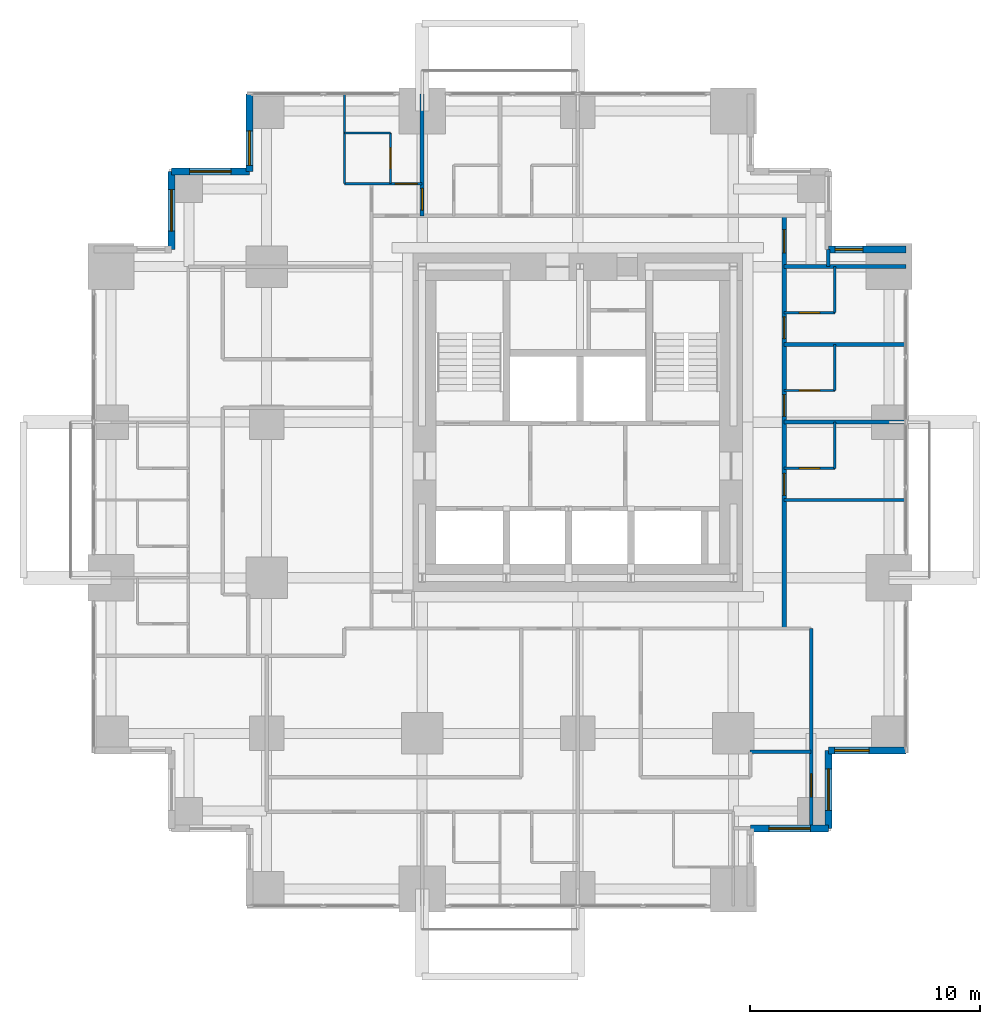
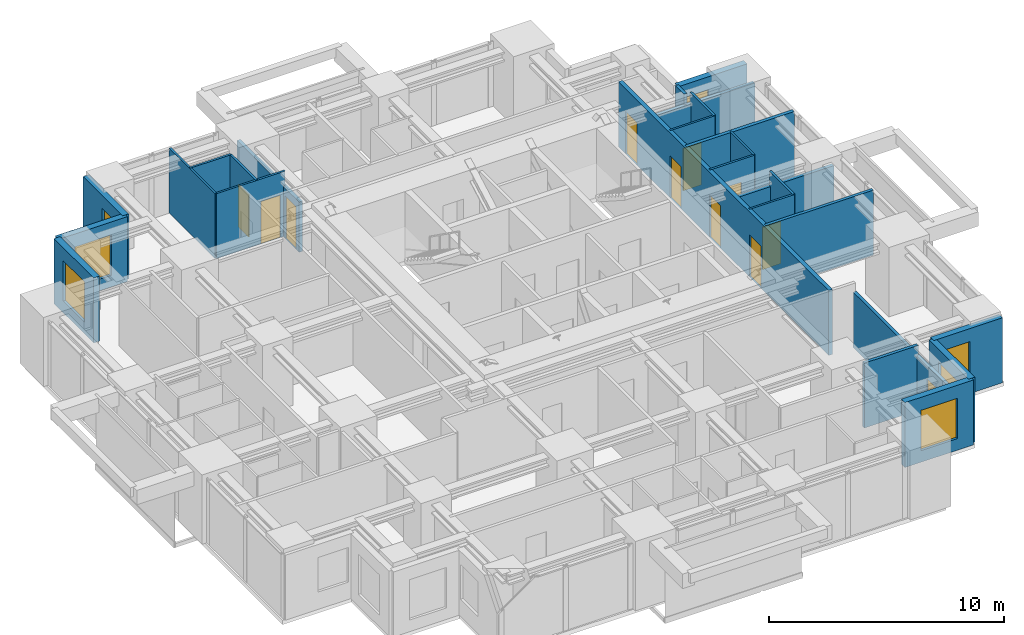
# One storey, part 8 of 10: 26 walls, 11 doors, 7 windows, 18 openings.
"""IFC4 building model written with IfcOpenShell, lengths in metres."""

import ifcopenshell
import ifcopenshell.guid

model = None  # the IFC model being written
_history = None  # IfcOwnerHistory: only IFC2X3 demands one
_inside = {}  # id of a spatial element -> (the spatial element, [elements in it])
_under = {}  # id of a project, library or spatial element -> (it, [spatial elements below it])
_declared = {}  # id of a project -> (the project, [libraries it declares])
_typed = {}  # id of a type object -> (the type object, [elements of that type])
_made_of = {}  # id of a material, layer set ... -> (it, [elements and type objects made of it])


def new_model(schema):
    """Start an empty IFC model of exactly this schema.

    Asked for "IFC4X3", IfcOpenShell would pick the latest addendum, in which some entities
    have other attributes; the version numbers below select the first issue.
    IFC2X3 requires an IfcOwnerHistory on every rooted entity: one is made here for all.
    """
    global model, _history
    if schema == "IFC4X3":
        model = ifcopenshell.file(schema_version=(4, 3, 0, 0))
    else:
        model = ifcopenshell.file(schema=schema)
    _inside.clear()
    _under.clear()
    _declared.clear()
    _typed.clear()
    _made_of.clear()
    _history = None
    if model.schema == "IFC2X3":
        org = make("IfcOrganization", Name="unknown")
        user = make(
            "IfcPersonAndOrganization",
            ThePerson=make("IfcPerson", FamilyName="unknown"),
            TheOrganization=org,
        )
        app = make(
            "IfcApplication",
            ApplicationDeveloper=org,
            Version="unknown",
            ApplicationFullName="unknown",
            ApplicationIdentifier="unknown",
        )
        _history = make(
            "IfcOwnerHistory",
            OwningUser=user,
            OwningApplication=app,
            ChangeAction="ADDED",
            CreationDate=0,
        )
    return model


def make(cls, **values):
    """One entity of the class cls with the attributes given. An attribute that is None is left unset."""
    return model.create_entity(
        cls, **{name: value for name, value in values.items() if value is not None}
    )


def rooted(cls, **values):
    """An entity with a GlobalId (a new one), such as an element, a storey or a relation."""
    return make(cls, GlobalId=ifcopenshell.guid.new(), OwnerHistory=_history, **values)


def si_unit(unit_type, name, prefix=None):
    """IfcSIUnit, for example si_unit("LENGTHUNIT", "METRE", prefix="MILLI")."""
    return make("IfcSIUnit", UnitType=unit_type, Prefix=prefix, Name=name)


def assignment(units):
    """IfcUnitAssignment: the units of a project."""
    return None if units is None else make("IfcUnitAssignment", Units=units)


def point(xyz):
    """IfcCartesianPoint."""
    return None if xyz is None else make("IfcCartesianPoint", Coordinates=xyz)


def direction(xyz):
    """IfcDirection."""
    return None if xyz is None else make("IfcDirection", DirectionRatios=xyz)


def frame(location, z_axis=None, x_axis=None):
    """IfcAxis2Placement3D, a coordinate frame: its origin and axes. An axis left out is left unset."""
    return make(
        "IfcAxis2Placement3D",
        Location=point(location),
        Axis=direction(z_axis),
        RefDirection=direction(x_axis),
    )


def frame_2d(location, x_axis=None):
    """IfcAxis2Placement2D, a coordinate frame in the plane: its origin and x axis."""
    return make(
        "IfcAxis2Placement2D", Location=point(location), RefDirection=direction(x_axis)
    )


def origin():
    """The frame at (0, 0, 0) with its axes left unset."""
    return frame((0.0, 0.0, 0.0))


def place(relative_to, where):
    """IfcLocalPlacement: puts the frame where relative to a parent placement (None: the world)."""
    return make(
        "IfcLocalPlacement", PlacementRelTo=relative_to, RelativePlacement=where
    )


def context(
    kind, dimensions, precision=None, world=None, true_north=None, identifier=None
):
    """IfcGeometricRepresentationContext, for example the 3D "Model" context."""
    return make(
        "IfcGeometricRepresentationContext",
        ContextIdentifier=identifier,
        ContextType=kind,
        CoordinateSpaceDimension=dimensions,
        Precision=precision,
        WorldCoordinateSystem=world,
        TrueNorth=true_north,
    )


def subcontext(parent, identifier, kind, view, scale=None):
    """IfcGeometricRepresentationSubContext, for example "Body" below "Model"."""
    return make(
        "IfcGeometricRepresentationSubContext",
        ContextIdentifier=identifier,
        ContextType=kind,
        ParentContext=parent,
        TargetScale=scale,
        TargetView=view,
    )


def project(units=None, contexts=None):
    """IfcProject with its units and contexts."""
    return rooted(
        "IfcProject",
        Name="project",
        RepresentationContexts=contexts,
        UnitsInContext=assignment(units),
    )


def spatial(cls, under=None, at=None, **own):
    """A site, building, storey or space (cls), placed at a placement, below another one or the project."""
    s = rooted(cls, ObjectPlacement=at, **own)
    if under is not None:
        _under.setdefault(under.id(), (under, []))[1].append(s)
    return s


def profile(cls, at=None, kind="AREA", **sizes):
    """A parametric profile (cls). Its sizes go by their IFC names, for example OverallWidth=200.0."""
    return make(cls, ProfileType=kind, Position=at, **sizes)


def rectangle(**sizes):
    """IfcRectangleProfileDef."""
    return profile("IfcRectangleProfileDef", **sizes)


def extrude(swept, where, along, depth):
    """IfcExtrudedAreaSolid: the profile swept, set in the frame where, extruded along a direction by depth."""
    return make(
        "IfcExtrudedAreaSolid",
        SweptArea=swept,
        Position=where,
        ExtrudedDirection=direction(along),
        Depth=depth,
    )


def shape(context_of_items, identifier, shape_type, items):
    """IfcShapeRepresentation: the items that make up one representation, for example the "Body"."""
    return make(
        "IfcShapeRepresentation",
        ContextOfItems=context_of_items,
        RepresentationIdentifier=identifier,
        RepresentationType=shape_type,
        Items=items,
    )


def material(Name=None, Category=None):
    """IfcMaterial."""
    return make("IfcMaterial", Name=Name, Category=Category)


def layer(
    of_material, thickness, ventilated=None, Name=None, Category=None, Priority=None
):
    """IfcMaterialLayer: one layer of a wall or slab, of a material (None: an air gap)."""
    return make(
        "IfcMaterialLayer",
        Material=of_material,
        LayerThickness=thickness,
        IsVentilated=ventilated,
        Name=Name,
        Category=Category,
        Priority=Priority,
    )


def layer_set(layers, Name=None):
    """IfcMaterialLayerSet."""
    return make("IfcMaterialLayerSet", MaterialLayers=layers, LayerSetName=Name)


def made_of(thing, what):
    """Note that an element or type object is made of a material, layer set ...; save() writes the relation."""
    if what is not None:
        _made_of.setdefault(what.id(), (what, []))[1].append(thing)
    return thing


def type_object(cls, material=None, **own):
    """A type object (cls), such as IfcWallType, which elements share."""
    return made_of(rooted(cls, **own), material)


def element(
    cls,
    number,
    at=None,
    inside=None,
    cuts=None,
    type_object=None,
    material=None,
    context=None,
    identifier="Body",
    shape_type=None,
    held_by="IfcProductDefinitionShape",
    body=None,
    shapes=None,
    **own,
):
    """One element of the class cls, such as IfcWall. Its Tag is "e" and its number.

    at: its placement. inside: the storey or other place that contains it. cuts: it is an
    opening in that element (IfcRelVoidsElement). A single representation is given by context,
    identifier, shape_type and body (its items); several are given by shapes. held_by: the class
    of the entity that holds the representations. save() writes the other relations.
    """
    e = rooted(cls, Tag="e%d" % number, ObjectPlacement=at, **own)
    if body is not None:
        shapes = [shape(context, identifier, shape_type, body)]
    if shapes is not None:
        e.Representation = make(held_by, Representations=shapes)
    if inside is not None:
        _inside.setdefault(inside.id(), (inside, []))[1].append(e)
    if cuts is not None:
        rooted(
            "IfcRelVoidsElement", RelatingBuildingElement=cuts, RelatedOpeningElement=e
        )
    if type_object is not None:
        _typed.setdefault(type_object.id(), (type_object, []))[1].append(e)
    return made_of(e, material)


def fill(opening, filler):
    """IfcRelFillsElement: the door or window that sits in an opening."""
    return rooted(
        "IfcRelFillsElement",
        RelatingOpeningElement=opening,
        RelatedBuildingElement=filler,
    )


def aggregate(whole, parts):
    """IfcRelAggregates: a whole, such as a stair, and the parts it consists of."""
    return rooted("IfcRelAggregates", RelatingObject=whole, RelatedObjects=parts)


def save(model, path):
    """Write the relations noted so far, then the file.

    IfcRelAggregates (storeys below a building ...), IfcRelContainedInSpatialStructure (elements
    in a storey), IfcRelDefinesByType, IfcRelAssociatesMaterial and IfcRelDeclares: one each for
    every whole, place, type object, material and project.
    """
    for whole, parts in _under.values():
        aggregate(whole, parts)
    for where, things in _inside.values():
        rooted(
            "IfcRelContainedInSpatialStructure",
            RelatedElements=things,
            RelatingStructure=where,
        )
    for kind, things in _typed.values():
        rooted("IfcRelDefinesByType", RelatedObjects=things, RelatingType=kind)
    for what, things in _made_of.values():
        rooted("IfcRelAssociatesMaterial", RelatedObjects=things, RelatingMaterial=what)
    for by, libraries in _declared.values():
        rooted("IfcRelDeclares", RelatingContext=by, RelatedDefinitions=libraries)
    model.write(path)


model = new_model("IFC4")

# Units and contexts
model_context = context("Model", 3, precision=1e-05, world=origin(), true_north=direction((0.0, 1.0)))
body_context = subcontext(model_context, "Body", "Model", "MODEL_VIEW")
ifc_project = project(units=[si_unit("LENGTHUNIT", "METRE"), si_unit("AREAUNIT", "SQUARE_METRE"), si_unit("VOLUMEUNIT", "CUBIC_METRE"), si_unit("PLANEANGLEUNIT", "RADIAN"), si_unit("MASSUNIT", "GRAM", prefix="KILO")], contexts=[model_context])

# Site, building, storey
site_placement = place(None, origin())
site = spatial("IfcSite", under=ifc_project, at=site_placement, CompositionType="ELEMENT")
building_placement = place(site_placement, origin())
building = spatial("IfcBuilding", under=site, at=building_placement, Name="Nyansa Garden Tower", CompositionType="ELEMENT")
storey_placement = place(building_placement, frame((0.0, 0.0, 145.800048828125)))
storey = spatial("IfcBuildingStorey", under=building, at=storey_placement, Name="L39", CompositionType="ELEMENT", Elevation=145.800048828125)

# Wall, opening, door
ifc_material_1 = material(Name="Dense blockwork, plastered both sides, 55 dB", Category="masonry")
ifc_layer_1 = layer(ifc_material_1, 0.175048828125)
ifc_layer_set_1 = layer_set([ifc_layer_1], Name="Acoustic party wall PW175")
wall_type_1 = type_object("IfcWallType", Name="Acoustic party wall PW175", PredefinedType="PARTITIONING", material=ifc_layer_set_1)
wall_1_placement = place(storey_placement, frame((13.5, 29.199951171875, 0.0), z_axis=(0.0, 0.0, 1.0), x_axis=(0.0, 1.0, 0.0)))
wall_1 = element("IfcWall", 1, at=wall_1_placement, inside=storey, type_object=wall_type_1, Name="Party wall", PredefinedType="PARTITIONING", context=body_context, shape_type="SweptSolid", body=[
    extrude(rectangle(XDim=5.283935546875, YDim=0.175048828125, at=frame_2d((2.64208984375, 0.0))), origin(), (0.0, 0.0, 1.0), 2.60986328125),
])
opening_1_placement = place(wall_1_placement, frame((0.25, 0.0, 0.0)))
opening_1 = element("IfcOpeningElement", 2, at=opening_1_placement, cuts=wall_1, Name="Opening D14", PredefinedType="OPENING", context=body_context, shape_type="SweptSolid", body=[
    extrude(rectangle(XDim=0.949951171875, YDim=2.199951171875, at=frame_2d((0.47509765625, 1.10009765625))), frame((0.0, 0.097412109375, 0.0), z_axis=(0.0, -1.0, 0.0), x_axis=(1.0, 0.0, 0.0)), (0.0, 0.0, 1.0), 0.195068359375),
])
ifc_material_2 = material(Name="Timber flush door, 60 minute fire resisting, self-closing", Category="wood")
door_type_1 = type_object("IfcDoorType", Name="Studio entrance door D14 950x2200", OperationType="SINGLE_SWING_LEFT", PredefinedType="DOOR", material=ifc_material_2)
door_1_placement = place(opening_1_placement, origin())
door_1 = element("IfcDoor", 3, at=door_1_placement, inside=storey, type_object=door_type_1, Name="Door L39-040", OperationType="SINGLE_SWING_LEFT", OverallHeight=2.199951171875, OverallWidth=0.949951171875, PredefinedType="DOOR", context=body_context, shape_type="SweptSolid", body=[
    extrude(rectangle(XDim=0.949951171875, YDim=2.199951171875, at=frame_2d((0.47509765625, 1.10009765625))), frame((0.0, 0.02490234375, 0.0), z_axis=(0.0, -1.0, 0.0), x_axis=(1.0, 0.0, 0.0)), (0.0, 0.0, 1.0), 0.050048828125),
])
fill(opening_1, door_1)

# Walls
wall_2_placement = place(storey_placement, frame((29.199951171875, 20.25, 0.0), z_axis=(0.0, 0.0, 1.0), x_axis=(1.0, 0.0, 0.0)))
element("IfcWall", 4, at=wall_2_placement, inside=storey, type_object=wall_type_1, Name="Party wall", PredefinedType="PARTITIONING", context=body_context, shape_type="SweptSolid", body=[
    extrude(rectangle(XDim=5.283935546875, YDim=0.175048828125, at=frame_2d((2.64208984375, 0.0))), origin(), (0.0, 0.0, 1.0), 2.60986328125),
])
wall_3_placement = place(storey_placement, frame((29.199951171875, 23.625, 0.0), z_axis=(0.0, 0.0, 1.0), x_axis=(1.0, 0.0, 0.0)))
element("IfcWall", 5, at=wall_3_placement, inside=storey, type_object=wall_type_1, Name="Party wall", PredefinedType="PARTITIONING", context=body_context, shape_type="SweptSolid", body=[
    extrude(rectangle(XDim=5.283935546875, YDim=0.175048828125, at=frame_2d((2.64208984375, 0.0))), origin(), (0.0, 0.0, 1.0), 3.375),
])
wall_4_placement = place(storey_placement, frame((29.199951171875, 27.0, 0.0), z_axis=(0.0, 0.0, 1.0), x_axis=(1.0, 0.0, 0.0)))
element("IfcWall", 6, at=wall_4_placement, inside=storey, type_object=wall_type_1, Name="Party wall", PredefinedType="PARTITIONING", context=body_context, shape_type="SweptSolid", body=[
    extrude(rectangle(XDim=5.283935546875, YDim=0.175048828125, at=frame_2d((2.64208984375, 0.0))), origin(), (0.0, 0.0, 1.0), 2.805908203125),
])

# Wall, openings, doors
ifc_material_3 = material(Name="Concrete blockwork, plastered, 60 minute fire resisting", Category="masonry")
ifc_layer_2 = layer(ifc_material_3, 0.199951171875)
ifc_layer_set_2 = layer_set([ifc_layer_2], Name="Corridor wall FW200")
wall_type_2 = type_object("IfcWallType", Name="Corridor wall FW200", PredefinedType="PARTITIONING", material=ifc_layer_set_2)
wall_5_placement = place(storey_placement, frame((29.199951171875, 11.300048828125, 0.0), z_axis=(0.0, 0.0, 1.0), x_axis=(0.0, 1.0, 0.0)))
wall_5 = element("IfcWall", 7, at=wall_5_placement, inside=storey, type_object=wall_type_2, Name="Corridor wall", PredefinedType="PARTITIONING", context=body_context, shape_type="SweptSolid", body=[
    extrude(rectangle(XDim=17.89990234375, YDim=0.199951171875, at=frame_2d((8.949951171875, 0.0))), origin(), (0.0, 0.0, 1.0), 3.375),
])
opening_2_placement = place(wall_5_placement, frame((5.77490234375, 0.0, 0.0)))
opening_2 = element("IfcOpeningElement", 8, at=opening_2_placement, cuts=wall_5, Name="Opening D14", PredefinedType="OPENING", context=body_context, shape_type="SweptSolid", body=[
    extrude(rectangle(XDim=0.949951171875, YDim=2.199951171875, at=frame_2d((0.47509765625, 1.10009765625))), frame((0.0, 0.10986328125, 0.0), z_axis=(0.0, -1.0, 0.0), x_axis=(1.0, 0.0, 0.0)), (0.0, 0.0, 1.0), 0.219970703125),
])
opening_3_placement = place(wall_5_placement, frame((9.199951171875, 0.0, 0.0)))
opening_3 = element("IfcOpeningElement", 9, at=opening_3_placement, cuts=wall_5, Name="Opening D14", PredefinedType="OPENING", context=body_context, shape_type="SweptSolid", body=[
    extrude(rectangle(XDim=0.949951171875, YDim=2.199951171875, at=frame_2d((0.47509765625, 1.10009765625))), frame((0.0, 0.10986328125, 0.0), z_axis=(0.0, -1.0, 0.0), x_axis=(1.0, 0.0, 0.0)), (0.0, 0.0, 1.0), 0.219970703125),
])
opening_4_placement = place(wall_5_placement, frame((12.574951171875, 0.0, 0.0)))
opening_4 = element("IfcOpeningElement", 10, at=opening_4_placement, cuts=wall_5, Name="Opening D14", PredefinedType="OPENING", context=body_context, shape_type="SweptSolid", body=[
    extrude(rectangle(XDim=0.949951171875, YDim=2.199951171875, at=frame_2d((0.47509765625, 1.10009765625))), frame((0.0, 0.10986328125, 0.0), z_axis=(0.0, -1.0, 0.0), x_axis=(1.0, 0.0, 0.0)), (0.0, 0.0, 1.0), 0.219970703125),
])
opening_5_placement = place(wall_5_placement, frame((16.300048828125, 0.0, 0.0)))
opening_5 = element("IfcOpeningElement", 11, at=opening_5_placement, cuts=wall_5, Name="Opening D03", PredefinedType="OPENING", context=body_context, shape_type="SweptSolid", body=[
    extrude(rectangle(XDim=1.0, YDim=2.199951171875, at=frame_2d((0.5, 1.10009765625))), frame((0.0, 0.10986328125, 0.0), z_axis=(0.0, -1.0, 0.0), x_axis=(1.0, 0.0, 0.0)), (0.0, 0.0, 1.0), 0.219970703125),
])
ifc_material_4 = material(Name="Timber flush door, 60 minute fire resisting", Category="wood")
door_type_2 = type_object("IfcDoorType", Name="Cluster entrance door D03 1000x2200", OperationType="SINGLE_SWING_LEFT", PredefinedType="DOOR", material=ifc_material_4)
door_2_placement = place(opening_5_placement, origin())
door_2 = element("IfcDoor", 12, at=door_2_placement, inside=storey, type_object=door_type_2, Name="Door L39-036", OperationType="SINGLE_SWING_LEFT", OverallHeight=2.199951171875, OverallWidth=1.0, PredefinedType="DOOR", context=body_context, shape_type="SweptSolid", body=[
    extrude(rectangle(XDim=1.0, YDim=2.199951171875, at=frame_2d((0.5, 1.10009765625))), frame((0.0, 0.02490234375, 0.0), z_axis=(0.0, -1.0, 0.0), x_axis=(1.0, 0.0, 0.0)), (0.0, 0.0, 1.0), 0.050048828125),
])
fill(opening_5, door_2)
door_3_placement = place(opening_2_placement, origin())
door_3 = element("IfcDoor", 13, at=door_3_placement, inside=storey, type_object=door_type_1, Name="Door L39-030", OperationType="SINGLE_SWING_LEFT", OverallHeight=2.199951171875, OverallWidth=0.949951171875, PredefinedType="DOOR", context=body_context, shape_type="SweptSolid", body=[
    extrude(rectangle(XDim=0.949951171875, YDim=2.199951171875, at=frame_2d((0.47509765625, 1.10009765625))), frame((0.0, 0.02490234375, 0.0), z_axis=(0.0, -1.0, 0.0), x_axis=(1.0, 0.0, 0.0)), (0.0, 0.0, 1.0), 0.050048828125),
])
fill(opening_2, door_3)
door_4_placement = place(opening_3_placement, origin())
door_4 = element("IfcDoor", 14, at=door_4_placement, inside=storey, type_object=door_type_1, Name="Door L39-032", OperationType="SINGLE_SWING_LEFT", OverallHeight=2.199951171875, OverallWidth=0.949951171875, PredefinedType="DOOR", context=body_context, shape_type="SweptSolid", body=[
    extrude(rectangle(XDim=0.949951171875, YDim=2.199951171875, at=frame_2d((0.47509765625, 1.10009765625))), frame((0.0, 0.02490234375, 0.0), z_axis=(0.0, -1.0, 0.0), x_axis=(1.0, 0.0, 0.0)), (0.0, 0.0, 1.0), 0.050048828125),
])
fill(opening_3, door_4)
door_5_placement = place(opening_4_placement, origin())
door_5 = element("IfcDoor", 15, at=door_5_placement, inside=storey, type_object=door_type_1, Name="Door L39-034", OperationType="SINGLE_SWING_LEFT", OverallHeight=2.199951171875, OverallWidth=0.949951171875, PredefinedType="DOOR", context=body_context, shape_type="SweptSolid", body=[
    extrude(rectangle(XDim=0.949951171875, YDim=2.199951171875, at=frame_2d((0.47509765625, 1.10009765625))), frame((0.0, 0.02490234375, 0.0), z_axis=(0.0, -1.0, 0.0), x_axis=(1.0, 0.0, 0.0)), (0.0, 0.0, 1.0), 0.050048828125),
])
fill(opening_4, door_5)

# Walls
ifc_material_5 = material(Name="Blockwork, plastered both sides", Category="masonry")
ifc_layer_3 = layer(ifc_material_5, 0.14990234375)
ifc_layer_set_3 = layer_set([ifc_layer_3], Name="Partition PW150")
wall_type_3 = type_object("IfcWallType", Name="Partition PW150", PredefinedType="PARTITIONING", material=ifc_layer_set_3)
wall_6_placement = place(storey_placement, frame((27.72509765625, 5.949951171875, 0.0), z_axis=(0.0, 0.0, 1.0), x_axis=(1.0, 0.0, 0.0)))
element("IfcWall", 16, at=wall_6_placement, inside=storey, type_object=wall_type_3, Name="Partition", PredefinedType="PARTITIONING", context=body_context, shape_type="SweptSolid", body=[
    extrude(rectangle(XDim=2.64990234375, YDim=0.14990234375, at=frame_2d((1.324951171875, 0.0))), origin(), (0.0, 0.0, 1.0), 3.375),
])
wall_7_placement = place(storey_placement, frame((29.199951171875, 16.875, 0.0), z_axis=(0.0, 0.0, 1.0), x_axis=(1.0, 0.0, 0.0)))
element("IfcWall", 17, at=wall_7_placement, inside=storey, type_object=wall_type_3, Name="Partition", PredefinedType="PARTITIONING", context=body_context, shape_type="SweptSolid", body=[
    extrude(rectangle(XDim=5.283935546875, YDim=0.14990234375, at=frame_2d((2.64208984375, 0.0))), origin(), (0.0, 0.0, 1.0), 3.375),
])

# Wall, opening, door
wall_8_placement = place(storey_placement, frame((30.375, 2.77490234375, 0.0), z_axis=(0.0, 0.0, 1.0), x_axis=(0.0, 1.0, 0.0)))
wall_8 = element("IfcWall", 18, at=wall_8_placement, inside=storey, type_object=wall_type_3, Name="Partition", PredefinedType="PARTITIONING", context=body_context, shape_type="SweptSolid", body=[
    extrude(rectangle(XDim=8.525146484375, YDim=0.14990234375, at=frame_2d((4.2626953125, 0.0))), origin(), (0.0, 0.0, 1.0), 2.876953125),
])
opening_6_placement = place(wall_8_placement, frame((1.216064453125, 0.0, 0.0)))
opening_6 = element("IfcOpeningElement", 19, at=opening_6_placement, cuts=wall_8, Name="Opening D03", PredefinedType="OPENING", context=body_context, shape_type="SweptSolid", body=[
    extrude(rectangle(XDim=1.0, YDim=2.199951171875, at=frame_2d((0.5, 1.10009765625))), frame((0.0, 0.0849609375, 0.0), z_axis=(0.0, -1.0, 0.0), x_axis=(1.0, 0.0, 0.0)), (0.0, 0.0, 1.0), 0.169921875),
])
door_6_placement = place(opening_6_placement, origin())
door_6 = element("IfcDoor", 20, at=door_6_placement, inside=storey, type_object=door_type_2, Name="Door L39-029", OperationType="SINGLE_SWING_LEFT", OverallHeight=2.199951171875, OverallWidth=1.0, PredefinedType="DOOR", context=body_context, shape_type="SweptSolid", body=[
    extrude(rectangle(XDim=1.0, YDim=2.199951171875, at=frame_2d((0.5, 1.10009765625))), frame((0.0, 0.02490234375, 0.0), z_axis=(0.0, -1.0, 0.0), x_axis=(1.0, 0.0, 0.0)), (0.0, 0.0, 1.0), 0.050048828125),
])
fill(opening_6, door_6)

# Wall
wall_9_placement = place(storey_placement, frame((31.125, 27.0, 0.0), z_axis=(0.0, 0.0, 1.0), x_axis=(0.0, 1.0, 0.0)))
element("IfcWall", 21, at=wall_9_placement, inside=storey, type_object=wall_type_3, Name="Partition", PredefinedType="PARTITIONING", context=body_context, shape_type="SweptSolid", body=[
    extrude(rectangle(XDim=0.73388671875, YDim=0.14990234375, at=frame_2d((0.366943359375, 0.0))), origin(), (0.0, 0.0, 1.0), 3.375),
])

# Wall, opening, window
ifc_material_6 = material(Name="Turquoise glazed tile on concrete blockwork", Category="masonry")
ifc_layer_4 = layer(ifc_material_6, 0.300048828125)
ifc_layer_set_4 = layer_set([ifc_layer_4], Name="Tiled corner wall TW300")
wall_type_4 = type_object("IfcWallType", Name="Tiled corner wall TW300", PredefinedType="SOLIDWALL", material=ifc_layer_set_4)
wall_10_placement = place(storey_placement, frame((34.5, 27.75, 0.0), z_axis=(0.0, 0.0, 1.0), x_axis=(-1.0, 0.0, 0.0)))
wall_10 = element("IfcWall", 22, at=wall_10_placement, inside=storey, type_object=wall_type_4, Name="Tiled corner wall L39", PredefinedType="SOLIDWALL", context=body_context, shape_type="SweptSolid", body=[
    extrude(rectangle(XDim=3.375, YDim=0.300048828125, at=frame_2d((1.6875, 0.0))), origin(), (0.0, 0.0, 1.0), 3.375),
])
opening_7_placement = place(wall_10_placement, frame((1.882568359375, 0.0, 0.89990234375)))
opening_7 = element("IfcOpeningElement", 23, at=opening_7_placement, cuts=wall_10, Name="Opening W4", PredefinedType="OPENING", context=body_context, shape_type="SweptSolid", body=[
    extrude(rectangle(XDim=1.199951171875, YDim=1.800048828125, at=frame_2d((0.60009765625, 0.89990234375))), frame((0.0, 0.159912109375, 0.0), z_axis=(0.0, -1.0, 0.0), x_axis=(1.0, 0.0, 0.0)), (0.0, 0.0, 1.0), 0.320068359375),
])
ifc_material_7 = material(Name="Black aluminium frame, dark tinted double glazing", Category="aluminium")
window_type_1 = type_object("IfcWindowType", Name="Window W4 1200x1800", PartitioningType="SINGLE_PANEL", PredefinedType="WINDOW", material=ifc_material_7)
window_1_placement = place(opening_7_placement, origin())
window_1 = element("IfcWindow", 24, at=window_1_placement, inside=storey, type_object=window_type_1, Name="Corner window L39", OverallHeight=1.800048828125, OverallWidth=1.199951171875, PartitioningType="SINGLE_PANEL", PredefinedType="WINDOW", context=body_context, shape_type="SweptSolid", body=[
    extrude(rectangle(XDim=1.199951171875, YDim=1.800048828125, at=frame_2d((0.60009765625, 0.89990234375))), frame((0.0, 0.030029296875, 0.0), z_axis=(0.0, -1.0, 0.0), x_axis=(1.0, 0.0, 0.0)), (0.0, 0.0, 1.0), 0.06005859375),
])
fill(opening_7, window_1)

wall_11_placement = place(storey_placement, frame((6.0, 34.5, 0.0), z_axis=(0.0, 0.0, 1.0), x_axis=(0.0, -1.0, 0.0)))
wall_11 = element("IfcWall", 25, at=wall_11_placement, inside=storey, type_object=wall_type_4, Name="Tiled corner wall L39", PredefinedType="SOLIDWALL", context=body_context, shape_type="SweptSolid", body=[
    extrude(rectangle(XDim=3.375, YDim=0.300048828125, at=frame_2d((1.6875, 0.0))), origin(), (0.0, 0.0, 1.0), 3.375),
])
opening_8_placement = place(wall_11_placement, frame((1.607421875, 0.0, 0.89990234375)))
opening_8 = element("IfcOpeningElement", 26, at=opening_8_placement, cuts=wall_11, Name="Opening W1", PredefinedType="OPENING", context=body_context, shape_type="SweptSolid", body=[
    extrude(rectangle(XDim=1.5, YDim=1.800048828125, at=frame_2d((0.75, 0.89990234375))), frame((0.0, 0.159912109375, 0.0), z_axis=(0.0, -1.0, 0.0), x_axis=(1.0, 0.0, 0.0)), (0.0, 0.0, 1.0), 0.320068359375),
])
ifc_material_8 = material(Name="Black aluminium frame, dark tinted double glazing", Category="aluminium")
window_type_2 = type_object("IfcWindowType", Name="Window W1 1500x1800", PartitioningType="SINGLE_PANEL", PredefinedType="WINDOW", material=ifc_material_8)
window_2_placement = place(opening_8_placement, origin())
window_2 = element("IfcWindow", 27, at=window_2_placement, inside=storey, type_object=window_type_2, Name="Corner window L39", OverallHeight=1.800048828125, OverallWidth=1.5, PartitioningType="SINGLE_PANEL", PredefinedType="WINDOW", context=body_context, shape_type="SweptSolid", body=[
    extrude(rectangle(XDim=1.5, YDim=1.800048828125, at=frame_2d((0.75, 0.89990234375))), frame((0.0, 0.030029296875, 0.0), z_axis=(0.0, -1.0, 0.0), x_axis=(1.0, 0.0, 0.0)), (0.0, 0.0, 1.0), 0.06005859375),
])
fill(opening_8, window_2)

wall_12_placement = place(storey_placement, frame((6.0, 31.125, 0.0), z_axis=(0.0, 0.0, 1.0), x_axis=(-1.0, 0.0, 0.0)))
wall_12 = element("IfcWall", 28, at=wall_12_placement, inside=storey, type_object=wall_type_4, Name="Tiled corner wall L39", PredefinedType="SOLIDWALL", context=body_context, shape_type="SweptSolid", body=[
    extrude(rectangle(XDim=3.375, YDim=0.300048828125, at=frame_2d((1.6875, 0.0))), origin(), (0.0, 0.0, 1.0), 3.375),
])
opening_9_placement = place(wall_12_placement, frame((0.78759765625, 0.0, 0.60009765625)))
opening_9 = element("IfcOpeningElement", 29, at=opening_9_placement, cuts=wall_12, Name="Opening W2", PredefinedType="OPENING", context=body_context, shape_type="SweptSolid", body=[
    extrude(rectangle(XDim=1.800048828125, YDim=2.10009765625, at=frame_2d((0.89990234375, 1.050048828125))), frame((0.0, 0.159912109375, 0.0), z_axis=(0.0, -1.0, 0.0), x_axis=(1.0, 0.0, 0.0)), (0.0, 0.0, 1.0), 0.320068359375),
])
ifc_material_9 = material(Name="Black aluminium frame, dark tinted double glazing", Category="aluminium")
window_type_3 = type_object("IfcWindowType", Name="Window W2 1800x2100", PartitioningType="SINGLE_PANEL", PredefinedType="WINDOW", material=ifc_material_9)
window_3_placement = place(opening_9_placement, origin())
window_3 = element("IfcWindow", 30, at=window_3_placement, inside=storey, type_object=window_type_3, Name="Corner window L39", OverallHeight=2.10009765625, OverallWidth=1.800048828125, PartitioningType="SINGLE_PANEL", PredefinedType="WINDOW", context=body_context, shape_type="SweptSolid", body=[
    extrude(rectangle(XDim=1.800048828125, YDim=2.10009765625, at=frame_2d((0.89990234375, 1.050048828125))), frame((0.0, 0.030029296875, 0.0), z_axis=(0.0, -1.0, 0.0), x_axis=(1.0, 0.0, 0.0)), (0.0, 0.0, 1.0), 0.06005859375),
])
fill(opening_9, window_3)

wall_13_placement = place(storey_placement, frame((2.625, 31.125, 0.0), z_axis=(0.0, 0.0, 1.0), x_axis=(0.0, -1.0, 0.0)))
wall_13 = element("IfcWall", 31, at=wall_13_placement, inside=storey, type_object=wall_type_4, Name="Tiled corner wall L39", PredefinedType="SOLIDWALL", context=body_context, shape_type="SweptSolid", body=[
    extrude(rectangle(XDim=3.375, YDim=0.300048828125, at=frame_2d((1.6875, 0.0))), origin(), (0.0, 0.0, 1.0), 3.375),
])
opening_10_placement = place(wall_13_placement, frame((0.78759765625, 0.0, 0.60009765625)))
opening_10 = element("IfcOpeningElement", 32, at=opening_10_placement, cuts=wall_13, Name="Opening W2", PredefinedType="OPENING", context=body_context, shape_type="SweptSolid", body=[
    extrude(rectangle(XDim=1.800048828125, YDim=2.10009765625, at=frame_2d((0.89990234375, 1.050048828125))), frame((0.0, 0.159912109375, 0.0), z_axis=(0.0, -1.0, 0.0), x_axis=(1.0, 0.0, 0.0)), (0.0, 0.0, 1.0), 0.320068359375),
])
window_4_placement = place(opening_10_placement, origin())
window_4 = element("IfcWindow", 33, at=window_4_placement, inside=storey, type_object=window_type_3, Name="Corner window L39", OverallHeight=2.10009765625, OverallWidth=1.800048828125, PartitioningType="SINGLE_PANEL", PredefinedType="WINDOW", context=body_context, shape_type="SweptSolid", body=[
    extrude(rectangle(XDim=1.800048828125, YDim=2.10009765625, at=frame_2d((0.89990234375, 1.050048828125))), frame((0.0, 0.030029296875, 0.0), z_axis=(0.0, -1.0, 0.0), x_axis=(1.0, 0.0, 0.0)), (0.0, 0.0, 1.0), 0.06005859375),
])
fill(opening_10, window_4)

wall_14_placement = place(storey_placement, frame((27.75, 2.625, 0.0), z_axis=(0.0, 0.0, 1.0), x_axis=(1.0, 0.0, 0.0)))
wall_14 = element("IfcWall", 34, at=wall_14_placement, inside=storey, type_object=wall_type_4, Name="Tiled corner wall L39", PredefinedType="SOLIDWALL", context=body_context, shape_type="SweptSolid", body=[
    extrude(rectangle(XDim=3.375, YDim=0.300048828125, at=frame_2d((1.6875, 0.0))), origin(), (0.0, 0.0, 1.0), 3.375),
])
opening_11_placement = place(wall_14_placement, frame((0.78759765625, 0.0, 0.60009765625)))
opening_11 = element("IfcOpeningElement", 35, at=opening_11_placement, cuts=wall_14, Name="Opening W2", PredefinedType="OPENING", context=body_context, shape_type="SweptSolid", body=[
    extrude(rectangle(XDim=1.800048828125, YDim=2.10009765625, at=frame_2d((0.89990234375, 1.050048828125))), frame((0.0, 0.159912109375, 0.0), z_axis=(0.0, -1.0, 0.0), x_axis=(1.0, 0.0, 0.0)), (0.0, 0.0, 1.0), 0.320068359375),
])
window_5_placement = place(opening_11_placement, origin())
window_5 = element("IfcWindow", 36, at=window_5_placement, inside=storey, type_object=window_type_3, Name="Corner window L39", OverallHeight=2.10009765625, OverallWidth=1.800048828125, PartitioningType="SINGLE_PANEL", PredefinedType="WINDOW", context=body_context, shape_type="SweptSolid", body=[
    extrude(rectangle(XDim=1.800048828125, YDim=2.10009765625, at=frame_2d((0.89990234375, 1.050048828125))), frame((0.0, 0.030029296875, 0.0), z_axis=(0.0, -1.0, 0.0), x_axis=(1.0, 0.0, 0.0)), (0.0, 0.0, 1.0), 0.06005859375),
])
fill(opening_11, window_5)

wall_15_placement = place(storey_placement, frame((31.125, 2.625, 0.0), z_axis=(0.0, 0.0, 1.0), x_axis=(0.0, 1.0, 0.0)))
wall_15 = element("IfcWall", 37, at=wall_15_placement, inside=storey, type_object=wall_type_4, Name="Tiled corner wall L39", PredefinedType="SOLIDWALL", context=body_context, shape_type="SweptSolid", body=[
    extrude(rectangle(XDim=3.375, YDim=0.300048828125, at=frame_2d((1.6875, 0.0))), origin(), (0.0, 0.0, 1.0), 3.375),
])
opening_12_placement = place(wall_15_placement, frame((0.78759765625, 0.0, 0.60009765625)))
opening_12 = element("IfcOpeningElement", 38, at=opening_12_placement, cuts=wall_15, Name="Opening W2", PredefinedType="OPENING", context=body_context, shape_type="SweptSolid", body=[
    extrude(rectangle(XDim=1.800048828125, YDim=2.10009765625, at=frame_2d((0.89990234375, 1.050048828125))), frame((0.0, 0.159912109375, 0.0), z_axis=(0.0, -1.0, 0.0), x_axis=(1.0, 0.0, 0.0)), (0.0, 0.0, 1.0), 0.320068359375),
])
window_6_placement = place(opening_12_placement, origin())
window_6 = element("IfcWindow", 39, at=window_6_placement, inside=storey, type_object=window_type_3, Name="Corner window L39", OverallHeight=2.10009765625, OverallWidth=1.800048828125, PartitioningType="SINGLE_PANEL", PredefinedType="WINDOW", context=body_context, shape_type="SweptSolid", body=[
    extrude(rectangle(XDim=1.800048828125, YDim=2.10009765625, at=frame_2d((0.89990234375, 1.050048828125))), frame((0.0, 0.030029296875, 0.0), z_axis=(0.0, -1.0, 0.0), x_axis=(1.0, 0.0, 0.0)), (0.0, 0.0, 1.0), 0.06005859375),
])
fill(opening_12, window_6)

wall_16_placement = place(storey_placement, frame((31.125, 6.0, 0.0), z_axis=(0.0, 0.0, 1.0), x_axis=(1.0, 0.0, 0.0)))
wall_16 = element("IfcWall", 40, at=wall_16_placement, inside=storey, type_object=wall_type_4, Name="Tiled corner wall L39", PredefinedType="SOLIDWALL", context=body_context, shape_type="SweptSolid", body=[
    extrude(rectangle(XDim=3.375, YDim=0.300048828125, at=frame_2d((1.6875, 0.0))), origin(), (0.0, 0.0, 1.0), 3.375),
])
opening_13_placement = place(wall_16_placement, frame((0.267578125, 0.0, 0.89990234375)))
opening_13 = element("IfcOpeningElement", 41, at=opening_13_placement, cuts=wall_16, Name="Opening W1", PredefinedType="OPENING", context=body_context, shape_type="SweptSolid", body=[
    extrude(rectangle(XDim=1.5, YDim=1.800048828125, at=frame_2d((0.75, 0.89990234375))), frame((0.0, 0.159912109375, 0.0), z_axis=(0.0, -1.0, 0.0), x_axis=(1.0, 0.0, 0.0)), (0.0, 0.0, 1.0), 0.320068359375),
])
window_7_placement = place(opening_13_placement, origin())
window_7 = element("IfcWindow", 42, at=window_7_placement, inside=storey, type_object=window_type_2, Name="Corner window L39", OverallHeight=1.800048828125, OverallWidth=1.5, PartitioningType="SINGLE_PANEL", PredefinedType="WINDOW", context=body_context, shape_type="SweptSolid", body=[
    extrude(rectangle(XDim=1.5, YDim=1.800048828125, at=frame_2d((0.75, 0.89990234375))), frame((0.0, 0.030029296875, 0.0), z_axis=(0.0, -1.0, 0.0), x_axis=(1.0, 0.0, 0.0)), (0.0, 0.0, 1.0), 0.06005859375),
])
fill(opening_13, window_7)

# Wall
ifc_material_10 = material(Name="Moisture resistant board on steel studs, tiled", Category="steel")
ifc_layer_5 = layer(ifc_material_10, 0.10009765625)
ifc_layer_set_5 = layer_set([ifc_layer_5], Name="Wet wall PW100")
wall_type_5 = type_object("IfcWallType", Name="Wet wall PW100", PredefinedType="PARTITIONING", material=ifc_layer_set_5)
wall_17_placement = place(storey_placement, frame((10.125, 30.60009765625, 0.0), z_axis=(0.0, 0.0, 1.0), x_axis=(0.0, 1.0, 0.0)))
element("IfcWall", 43, at=wall_17_placement, inside=storey, type_object=wall_type_5, Name="Wet wall", PredefinedType="PARTITIONING", context=body_context, shape_type="SweptSolid", body=[
    extrude(rectangle(XDim=3.8837890625, YDim=0.10009765625, at=frame_2d((1.94189453125, 0.0))), origin(), (0.0, 0.0, 1.0), 3.375),
])

# Wall, opening, door
wall_18_placement = place(storey_placement, frame((10.125, 30.60009765625, 0.0), z_axis=(0.0, 0.0, 1.0), x_axis=(1.0, 0.0, 0.0)))
wall_18 = element("IfcWall", 44, at=wall_18_placement, inside=storey, type_object=wall_type_5, Name="Wet wall", PredefinedType="PARTITIONING", context=body_context, shape_type="SweptSolid", body=[
    extrude(rectangle(XDim=3.375, YDim=0.10009765625, at=frame_2d((1.6875, 0.0))), origin(), (0.0, 0.0, 1.0), 3.375),
])
opening_14_placement = place(wall_18_placement, frame((2.199951171875, 0.0, 0.0)))
opening_14 = element("IfcOpeningElement", 45, at=opening_14_placement, cuts=wall_18, Name="Opening D14", PredefinedType="OPENING", context=body_context, shape_type="SweptSolid", body=[
    extrude(rectangle(XDim=0.949951171875, YDim=2.199951171875, at=frame_2d((0.47509765625, 1.10009765625))), frame((0.0, 0.06005859375, 0.0), z_axis=(0.0, -1.0, 0.0), x_axis=(1.0, 0.0, 0.0)), (0.0, 0.0, 1.0), 0.1201171875),
])
door_7_placement = place(opening_14_placement, origin())
door_7 = element("IfcDoor", 46, at=door_7_placement, inside=storey, type_object=door_type_1, Name="Door L39-038", OperationType="SINGLE_SWING_LEFT", OverallHeight=2.199951171875, OverallWidth=0.949951171875, PredefinedType="DOOR", context=body_context, shape_type="SweptSolid", body=[
    extrude(rectangle(XDim=0.949951171875, YDim=2.199951171875, at=frame_2d((0.47509765625, 1.10009765625))), frame((0.0, 0.02490234375, 0.0), z_axis=(0.0, -1.0, 0.0), x_axis=(1.0, 0.0, 0.0)), (0.0, 0.0, 1.0), 0.050048828125),
])
fill(opening_14, door_7)

# Wall
wall_19_placement = place(storey_placement, frame((10.125, 32.800048828125, 0.0), z_axis=(0.0, 0.0, 1.0), x_axis=(1.0, 0.0, 0.0)))
element("IfcWall", 47, at=wall_19_placement, inside=storey, type_object=wall_type_5, Name="Wet wall", PredefinedType="PARTITIONING", context=body_context, shape_type="SweptSolid", body=[
    extrude(rectangle(XDim=2.0, YDim=0.10009765625, at=frame_2d((1.0, 0.0))), origin(), (0.0, 0.0, 1.0), 3.375),
])

# Wall, opening, door
wall_20_placement = place(storey_placement, frame((12.125, 30.60009765625, 0.0), z_axis=(0.0, 0.0, 1.0), x_axis=(0.0, 1.0, 0.0)))
wall_20 = element("IfcWall", 48, at=wall_20_placement, inside=storey, type_object=wall_type_5, Name="Wet wall", PredefinedType="PARTITIONING", context=body_context, shape_type="SweptSolid", body=[
    extrude(rectangle(XDim=2.199951171875, YDim=0.10009765625, at=frame_2d((1.10009765625, 0.0))), origin(), (0.0, 0.0, 1.0), 3.375),
])
opening_15_placement = place(wall_20_placement, frame((0.64990234375, 0.0, 0.0)))
opening_15 = element("IfcOpeningElement", 49, at=opening_15_placement, cuts=wall_20, Name="Opening D02", PredefinedType="OPENING", context=body_context, shape_type="SweptSolid", body=[
    extrude(rectangle(XDim=0.89990234375, YDim=2.199951171875, at=frame_2d((0.449951171875, 1.10009765625))), frame((0.0, 0.06005859375, 0.0), z_axis=(0.0, -1.0, 0.0), x_axis=(1.0, 0.0, 0.0)), (0.0, 0.0, 1.0), 0.1201171875),
])
ifc_material_11 = material(Name="Timber flush door", Category="wood")
door_type_3 = type_object("IfcDoorType", Name="En-suite door D02 900x2200", OperationType="SINGLE_SWING_RIGHT", PredefinedType="DOOR", material=ifc_material_11)
door_8_placement = place(opening_15_placement, origin())
door_8 = element("IfcDoor", 50, at=door_8_placement, inside=storey, type_object=door_type_3, Name="Door L39-039", OperationType="SINGLE_SWING_RIGHT", OverallHeight=2.199951171875, OverallWidth=0.89990234375, PredefinedType="DOOR", context=body_context, shape_type="SweptSolid", body=[
    extrude(rectangle(XDim=0.89990234375, YDim=2.199951171875, at=frame_2d((0.449951171875, 1.10009765625))), frame((0.0, 0.02490234375, 0.0), z_axis=(0.0, -1.0, 0.0), x_axis=(1.0, 0.0, 0.0)), (0.0, 0.0, 1.0), 0.050048828125),
])
fill(opening_15, door_8)

wall_21_placement = place(storey_placement, frame((29.199951171875, 18.25, 0.0), z_axis=(0.0, 0.0, 1.0), x_axis=(1.0, 0.0, 0.0)))
wall_21 = element("IfcWall", 51, at=wall_21_placement, inside=storey, type_object=wall_type_5, Name="Wet wall", PredefinedType="PARTITIONING", context=body_context, shape_type="SweptSolid", body=[
    extrude(rectangle(XDim=2.199951171875, YDim=0.10009765625, at=frame_2d((1.10009765625, 0.0))), origin(), (0.0, 0.0, 1.0), 3.375),
])
opening_16_placement = place(wall_21_placement, frame((0.64990234375, 0.0, 0.0)))
opening_16 = element("IfcOpeningElement", 52, at=opening_16_placement, cuts=wall_21, Name="Opening D02", PredefinedType="OPENING", context=body_context, shape_type="SweptSolid", body=[
    extrude(rectangle(XDim=0.89990234375, YDim=2.199951171875, at=frame_2d((0.449951171875, 1.10009765625))), frame((0.0, 0.06005859375, 0.0), z_axis=(0.0, -1.0, 0.0), x_axis=(1.0, 0.0, 0.0)), (0.0, 0.0, 1.0), 0.1201171875),
])
door_9_placement = place(opening_16_placement, origin())
door_9 = element("IfcDoor", 53, at=door_9_placement, inside=storey, type_object=door_type_3, Name="Door L39-031", OperationType="SINGLE_SWING_RIGHT", OverallHeight=2.199951171875, OverallWidth=0.89990234375, PredefinedType="DOOR", context=body_context, shape_type="SweptSolid", body=[
    extrude(rectangle(XDim=0.89990234375, YDim=2.199951171875, at=frame_2d((0.449951171875, 1.10009765625))), frame((0.0, 0.02490234375, 0.0), z_axis=(0.0, -1.0, 0.0), x_axis=(1.0, 0.0, 0.0)), (0.0, 0.0, 1.0), 0.050048828125),
])
fill(opening_16, door_9)

wall_22_placement = place(storey_placement, frame((29.199951171875, 21.625, 0.0), z_axis=(0.0, 0.0, 1.0), x_axis=(1.0, 0.0, 0.0)))
wall_22 = element("IfcWall", 54, at=wall_22_placement, inside=storey, type_object=wall_type_5, Name="Wet wall", PredefinedType="PARTITIONING", context=body_context, shape_type="SweptSolid", body=[
    extrude(rectangle(XDim=2.199951171875, YDim=0.10009765625, at=frame_2d((1.10009765625, 0.0))), origin(), (0.0, 0.0, 1.0), 3.375),
])
opening_17_placement = place(wall_22_placement, frame((0.64990234375, 0.0, 0.0)))
opening_17 = element("IfcOpeningElement", 55, at=opening_17_placement, cuts=wall_22, Name="Opening D02", PredefinedType="OPENING", context=body_context, shape_type="SweptSolid", body=[
    extrude(rectangle(XDim=0.89990234375, YDim=2.199951171875, at=frame_2d((0.449951171875, 1.10009765625))), frame((0.0, 0.06005859375, 0.0), z_axis=(0.0, -1.0, 0.0), x_axis=(1.0, 0.0, 0.0)), (0.0, 0.0, 1.0), 0.1201171875),
])
door_10_placement = place(opening_17_placement, origin())
door_10 = element("IfcDoor", 56, at=door_10_placement, inside=storey, type_object=door_type_3, Name="Door L39-033", OperationType="SINGLE_SWING_RIGHT", OverallHeight=2.199951171875, OverallWidth=0.89990234375, PredefinedType="DOOR", context=body_context, shape_type="SweptSolid", body=[
    extrude(rectangle(XDim=0.89990234375, YDim=2.199951171875, at=frame_2d((0.449951171875, 1.10009765625))), frame((0.0, 0.02490234375, 0.0), z_axis=(0.0, -1.0, 0.0), x_axis=(1.0, 0.0, 0.0)), (0.0, 0.0, 1.0), 0.050048828125),
])
fill(opening_17, door_10)

wall_23_placement = place(storey_placement, frame((29.199951171875, 25.0, 0.0), z_axis=(0.0, 0.0, 1.0), x_axis=(1.0, 0.0, 0.0)))
wall_23 = element("IfcWall", 57, at=wall_23_placement, inside=storey, type_object=wall_type_5, Name="Wet wall", PredefinedType="PARTITIONING", context=body_context, shape_type="SweptSolid", body=[
    extrude(rectangle(XDim=2.199951171875, YDim=0.10009765625, at=frame_2d((1.10009765625, 0.0))), origin(), (0.0, 0.0, 1.0), 3.375),
])
opening_18_placement = place(wall_23_placement, frame((0.64990234375, 0.0, 0.0)))
opening_18 = element("IfcOpeningElement", 58, at=opening_18_placement, cuts=wall_23, Name="Opening D02", PredefinedType="OPENING", context=body_context, shape_type="SweptSolid", body=[
    extrude(rectangle(XDim=0.89990234375, YDim=2.199951171875, at=frame_2d((0.449951171875, 1.10009765625))), frame((0.0, 0.06005859375, 0.0), z_axis=(0.0, -1.0, 0.0), x_axis=(1.0, 0.0, 0.0)), (0.0, 0.0, 1.0), 0.1201171875),
])
door_11_placement = place(opening_18_placement, origin())
door_11 = element("IfcDoor", 59, at=door_11_placement, inside=storey, type_object=door_type_3, Name="Door L39-035", OperationType="SINGLE_SWING_RIGHT", OverallHeight=2.199951171875, OverallWidth=0.89990234375, PredefinedType="DOOR", context=body_context, shape_type="SweptSolid", body=[
    extrude(rectangle(XDim=0.89990234375, YDim=2.199951171875, at=frame_2d((0.449951171875, 1.10009765625))), frame((0.0, 0.02490234375, 0.0), z_axis=(0.0, -1.0, 0.0), x_axis=(1.0, 0.0, 0.0)), (0.0, 0.0, 1.0), 0.050048828125),
])
fill(opening_18, door_11)

# Walls
for number, where, z_axis, x_axis, name in (
    (60, (31.39990234375, 18.25, 0.0), (0.0, 0.0, 1.0), (0.0, 1.0, 0.0), "Wet wall"),
    (61, (31.39990234375, 21.625, 0.0), (0.0, 0.0, 1.0), (0.0, 1.0, 0.0), "Wet wall"),
    (62, (31.39990234375, 25.0, 0.0), (0.0, 0.0, 1.0), (0.0, 1.0, 0.0), "Wet wall"),
):
    element("IfcWall", number, at=place(storey_placement, frame(where, z_axis=z_axis, x_axis=x_axis)), inside=storey, type_object=wall_type_5, Name=name, PredefinedType="PARTITIONING", context=body_context, shape_type="SweptSolid", body=[
        extrude(rectangle(XDim=2.0, YDim=0.10009765625, at=frame_2d((1.0, 0.0))), origin(), (0.0, 0.0, 1.0), 3.375),
    ])

save(model, "model.ifc")
